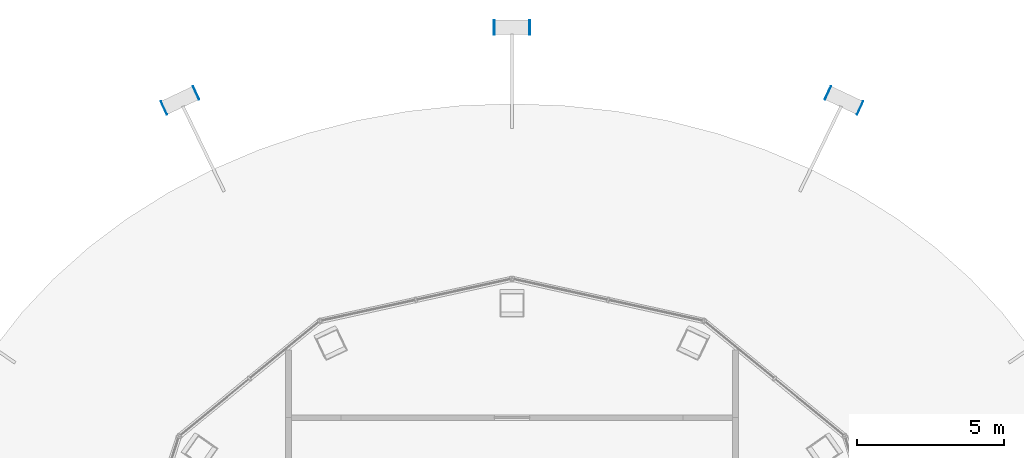
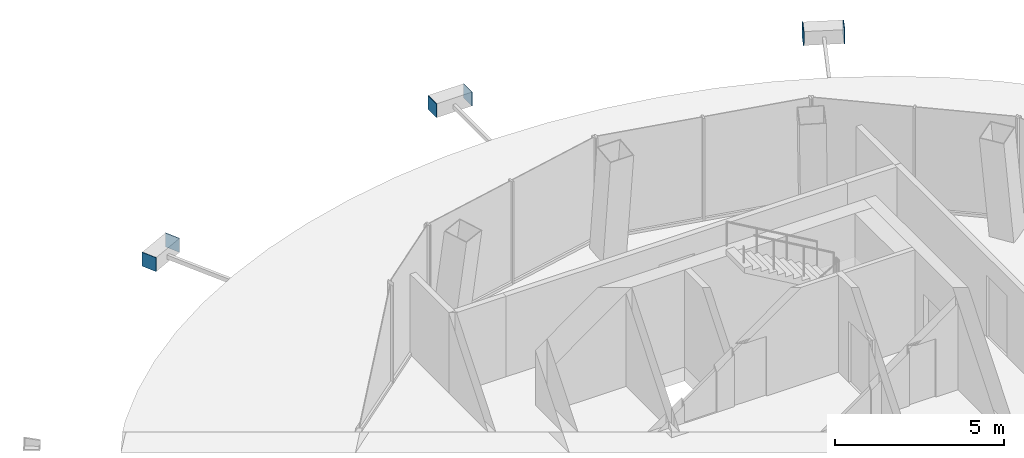
# One storey, part 9 of 10: 6 discrete accessories.
"""IFC4 building model written with IfcOpenShell, lengths in metres."""

from ifc_helpers import new_model, si_unit, direction, frame, origin, origin_2d, place, context, subcontext, project, spatial, rectangle, extrude, material, layer, layer_set, type_object, element, save


model = new_model("IFC4")

# Units and contexts
model_context = context("Model", 3, precision=1e-05, world=origin(), true_north=direction((0.0, 1.0)))
body_context = subcontext(model_context, "Body", "Model", "MODEL_VIEW")
ifc_project = project(units=[si_unit("LENGTHUNIT", "METRE"), si_unit("AREAUNIT", "SQUARE_METRE"), si_unit("VOLUMEUNIT", "CUBIC_METRE"), si_unit("PLANEANGLEUNIT", "RADIAN"), si_unit("MASSUNIT", "GRAM", prefix="KILO")], contexts=[model_context])

# Site, building, storey
site_placement = place(None, origin())
site = spatial("IfcSite", under=ifc_project, at=site_placement, CompositionType="ELEMENT")
building_placement = place(site_placement, origin())
building = spatial("IfcBuilding", under=site, at=building_placement, Name="Siaravel Broadcast Tower", CompositionType="ELEMENT")
storey_placement = place(building_placement, frame((0.0, 0.0, 272.60009765625)))
storey = spatial("IfcBuildingStorey", under=building, at=storey_placement, Name="L66", CompositionType="ELEMENT", Elevation=272.60009765625)

# Discrete accessories
ifc_material = material(Name="Steel S355", Category="steel")
ifc_layer = layer(ifc_material, 0.02001953125)
ifc_layer_set = layer_set([ifc_layer], Name="Steel S355")
discrete_accessory_type = type_object("IfcDiscreteAccessoryType", Name="Steel end plate 20 mm", PredefinedType="USERDEFINED", material=ifc_layer_set)
for number, where, z_axis, x_axis, name in (
    (1, (10.747802734375, 17.0537109375, -0.4501953125), (0.0, 0.0, 1.0), (-0.904006456, 0.427518805, 0.0), "End plate R27 station 12A"),
    (2, (11.8388671875, 16.53759765625, -0.4501953125), (0.0, 0.0, 1.0), (-0.904006456, 0.427518805, 0.0), "End plate R27 station 12B"),
    (3, (-0.603515625, 19.280029296875, -0.4501953125), (0.0, 0.0, 1.0), (-1.0, 0.0, 0.0), "End plate R27 station 18A"),
    (4, (0.603515625, 19.280029296875, -0.4501953125), (0.0, 0.0, 1.0), (-1.0, 0.0, 0.0), "End plate R27 station 18B"),
    (5, (-11.8388671875, 16.53759765625, -0.4501953125), (0.0, 0.0, 1.0), (-0.904006456, -0.427518805, 0.0), "End plate R27 station 24A"),
    (6, (-10.747802734375, 17.0537109375, -0.4501953125), (0.0, 0.0, 1.0), (-0.904006456, -0.427518805, 0.0), "End plate R27 station 24B"),
):
    element("IfcDiscreteAccessory", number, at=place(storey_placement, frame(where, z_axis=z_axis, x_axis=x_axis)), inside=storey, type_object=discrete_accessory_type, Name=name, ObjectType="END PLATE", PredefinedType="USERDEFINED", context=body_context, shape_type="SweptSolid", body=[
        extrude(rectangle(XDim=0.02001953125, YDim=0.5, at=origin_2d()), origin(), (0.0, 0.0, 1.0), 0.5),
    ])

save(model, "model.ifc")
